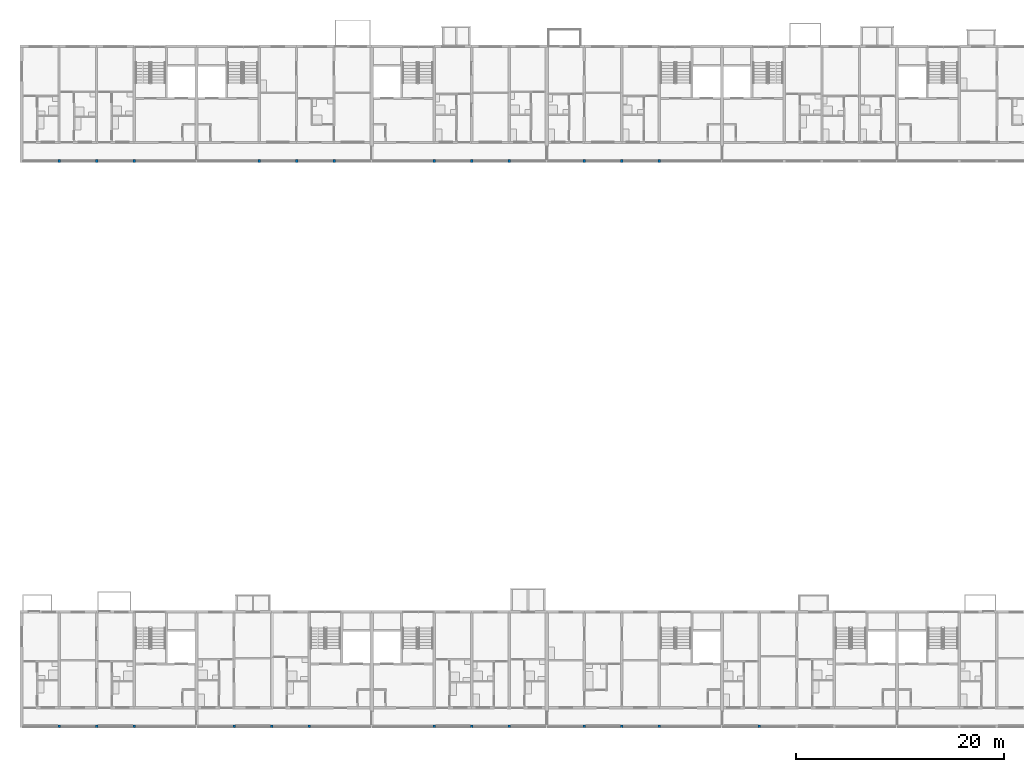
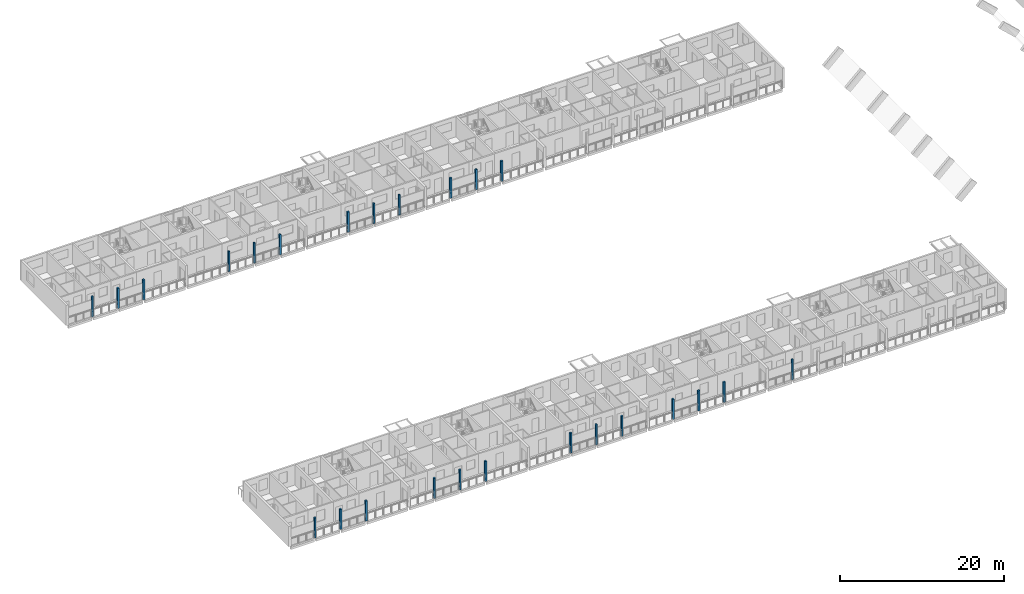
# One storey, part 1 of 98: 25 columns.
"""IFC4 building model written with IfcOpenShell, lengths in metres."""

from ifc_helpers import new_model, si_unit, direction, frame, origin, origin_2d, place, context, subcontext, project, spatial, rectangle, extrude, material, material_profile, profile_set, type_object, element, save


model = new_model("IFC4")

# Units and contexts
model_context = context("Model", 3, precision=1e-05, world=origin(), true_north=direction((0.0, 1.0)))
body_context = subcontext(model_context, "Body", "Model", "MODEL_VIEW")
ifc_project = project(units=[si_unit("LENGTHUNIT", "METRE"), si_unit("AREAUNIT", "SQUARE_METRE"), si_unit("VOLUMEUNIT", "CUBIC_METRE"), si_unit("PLANEANGLEUNIT", "RADIAN"), si_unit("MASSUNIT", "GRAM", prefix="KILO")], contexts=[model_context])

# Site, building, storey
site_placement = place(None, origin())
site = spatial("IfcSite", under=ifc_project, at=site_placement, CompositionType="ELEMENT")
building_placement = place(site_placement, origin())
building = spatial("IfcBuilding", under=site, at=building_placement, Name="Ridgestep Commons", CompositionType="ELEMENT")
storey_placement = place(building_placement, frame((0.0, 0.0, 12.0)))
storey = spatial("IfcBuildingStorey", under=building, at=storey_placement, Name="L04", CompositionType="ELEMENT", Elevation=12.0)

# Columns
ifc_material = material(Name="Precast concrete C40/50", Category="concrete")
ifc_material_profile = material_profile(ifc_material, rectangle(XDim=0.25, YDim=0.25, at=origin_2d()), Name="PC 250x250")
ifc_profile_set = profile_set([ifc_material_profile], Name="Precast concrete C40/50")
column_type = type_object("IfcColumnType", Name="Loggia column 250 x 250", PredefinedType="COLUMN", material=ifc_profile_set)
for number, where, z_axis, x_axis, name in (
    (1, (15.60009765625, 11.875, 0.0), (0.0, 0.0, 1.0), (1.0, 0.0, 0.0), "Loggia column A L04"),
    (2, (19.199951171875, 11.875, 0.0), (0.0, 0.0, 1.0), (1.0, 0.0, 0.0), "Loggia column A L04"),
    (3, (22.800048828125, 11.875, 0.0), (0.0, 0.0, 1.0), (1.0, 0.0, 0.0), "Loggia column A L04"),
    (4, (32.39990234375, 11.875, 0.0), (0.0, 0.0, 1.0), (1.0, 0.0, 0.0), "Loggia column A L04"),
    (5, (36.0, 11.875, 0.0), (0.0, 0.0, 1.0), (1.0, 0.0, 0.0), "Loggia column A L04"),
    (6, (39.60009765625, 11.875, 0.0), (0.0, 0.0, 1.0), (1.0, 0.0, 0.0), "Loggia column A L04"),
    (7, (51.60009765625, 11.875, 0.0), (0.0, 0.0, 1.0), (1.0, 0.0, 0.0), "Loggia column A L04"),
    (8, (55.199951171875, 11.875, 0.0), (0.0, 0.0, 1.0), (1.0, 0.0, 0.0), "Loggia column A L04"),
    (9, (58.800048828125, 11.875, 0.0), (0.0, 0.0, 1.0), (1.0, 0.0, 0.0), "Loggia column A L04"),
    (10, (66.0, 11.875, 0.0), (0.0, 0.0, 1.0), (1.0, 0.0, 0.0), "Loggia column A L04"),
    (11, (69.60009765625, 11.875, 0.0), (0.0, 0.0, 1.0), (1.0, 0.0, 0.0), "Loggia column A L04"),
    (12, (73.199951171875, 11.875, 0.0), (0.0, 0.0, 1.0), (1.0, 0.0, 0.0), "Loggia column A L04"),
    (13, (82.800048828125, 11.875, 0.0), (0.0, 0.0, 1.0), (1.0, 0.0, 0.0), "Loggia column A L04"),
    (14, (15.60009765625, 66.125, 0.0), (0.0, 0.0, 1.0), (1.0, 0.0, 0.0), "Loggia column B L04"),
    (15, (19.199951171875, 66.125, 0.0), (0.0, 0.0, 1.0), (1.0, 0.0, 0.0), "Loggia column B L04"),
    (16, (22.800048828125, 66.125, 0.0), (0.0, 0.0, 1.0), (1.0, 0.0, 0.0), "Loggia column B L04"),
    (17, (34.800048828125, 66.125, 0.0), (0.0, 0.0, 1.0), (1.0, 0.0, 0.0), "Loggia column B L04"),
    (18, (38.39990234375, 66.125, 0.0), (0.0, 0.0, 1.0), (1.0, 0.0, 0.0), "Loggia column B L04"),
    (19, (42.0, 66.125, 0.0), (0.0, 0.0, 1.0), (1.0, 0.0, 0.0), "Loggia column B L04"),
    (20, (51.60009765625, 66.125, 0.0), (0.0, 0.0, 1.0), (1.0, 0.0, 0.0), "Loggia column B L04"),
    (21, (55.199951171875, 66.125, 0.0), (0.0, 0.0, 1.0), (1.0, 0.0, 0.0), "Loggia column B L04"),
    (22, (58.800048828125, 66.125, 0.0), (0.0, 0.0, 1.0), (1.0, 0.0, 0.0), "Loggia column B L04"),
    (23, (66.0, 66.125, 0.0), (0.0, 0.0, 1.0), (1.0, 0.0, 0.0), "Loggia column B L04"),
    (24, (69.60009765625, 66.125, 0.0), (0.0, 0.0, 1.0), (1.0, 0.0, 0.0), "Loggia column B L04"),
    (25, (73.199951171875, 66.125, 0.0), (0.0, 0.0, 1.0), (1.0, 0.0, 0.0), "Loggia column B L04"),
):
    element("IfcColumn", number, at=place(storey_placement, frame(where, z_axis=z_axis, x_axis=x_axis)), inside=storey, type_object=column_type, Name=name, PredefinedType="COLUMN", context=body_context, shape_type="SweptSolid", body=[
        extrude(rectangle(XDim=0.25, YDim=0.25, at=origin_2d()), origin(), (0.0, 0.0, 1.0), 3.0),
    ])

save(model, "model.ifc")
